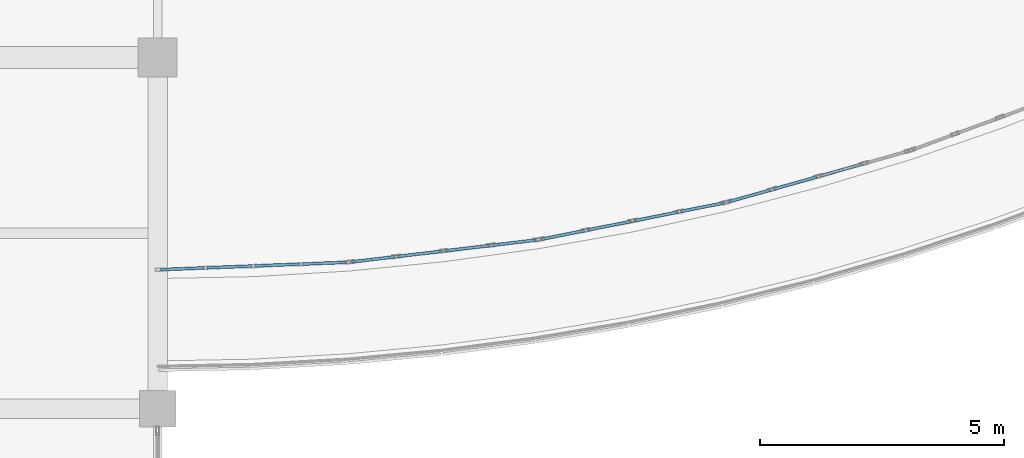
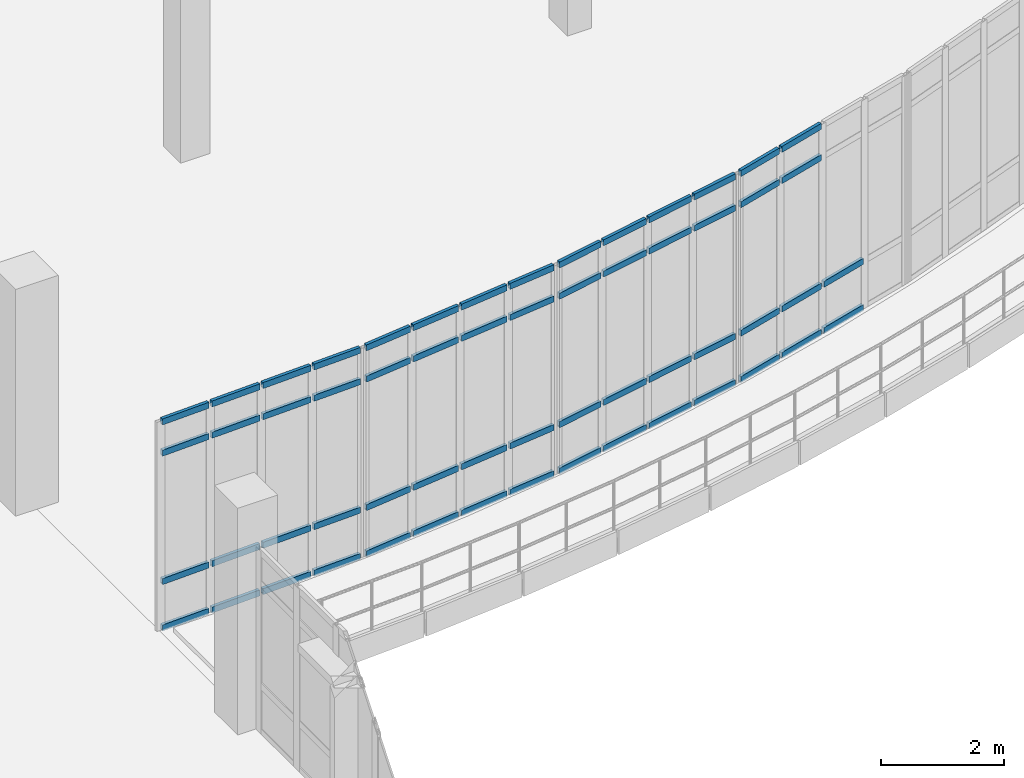
# One storey, part 87 of 134: 58 members, 4 elements without a shape of their own.
"""IFC4 building model written with IfcOpenShell, lengths in metres."""

from ifc_helpers import new_model, si_unit, direction, frame, origin, origin_2d, place, context, subcontext, project, spatial, hollow_rectangle, extrude, material, material_profile, profile_set, type_object, element, aggregate, save


model = new_model("IFC4")

# Units and contexts
model_context = context("Model", 3, precision=1e-05, world=origin(), true_north=direction((0.0, 1.0)))
body_context = subcontext(model_context, "Body", "Model", "MODEL_VIEW")
ifc_project = project(units=[si_unit("LENGTHUNIT", "METRE"), si_unit("AREAUNIT", "SQUARE_METRE"), si_unit("VOLUMEUNIT", "CUBIC_METRE"), si_unit("PLANEANGLEUNIT", "RADIAN"), si_unit("MASSUNIT", "GRAM", prefix="KILO")], contexts=[model_context])

# Site, building, storey
site_placement = place(None, origin())
site = spatial("IfcSite", under=ifc_project, at=site_placement, CompositionType="ELEMENT")
building_placement = place(site_placement, origin())
building = spatial("IfcBuilding", under=site, at=building_placement, Name="Kalluvel Institute of Natural Sciences", CompositionType="ELEMENT")
storey_placement = place(building_placement, frame((0.0, 0.0, 5.39990234375)))
storey = spatial("IfcBuildingStorey", under=building, at=storey_placement, Name="L01", CompositionType="ELEMENT", Elevation=5.39990234375)

# Curtain wall, members
ifc_material = material(Name="Aluminium AW-6063 T6", Category="aluminium")
curtain_wall_type = type_object("IfcCurtainWallType", Name="CW-ATR-ARC", PredefinedType="USERDEFINED", material=ifc_material)
curtain_wall_1_placement = place(storey_placement, origin())
curtain_wall_1 = element("IfcCurtainWall", 1, at=curtain_wall_1_placement, inside=storey, type_object=curtain_wall_type, Name="L01 Gothic lancet curtain wall CWA-L01-X356-Y528", ObjectType="UNITISED LANCET FACADE", PredefinedType="USERDEFINED")
ifc_material_profile = material_profile(ifc_material, hollow_rectangle(XDim=0.06005859375, YDim=0.1201171875, WallThickness=0.00390625, at=origin_2d()), Name="CWT 60x120")
ifc_profile_set = profile_set([ifc_material_profile], Name="Aluminium AW-6063 T6")
member_type = type_object("IfcMemberType", Name="CWT-60x120", PredefinedType="USERDEFINED", material=ifc_profile_set)
member_1_placement = place(storey_placement, frame((35.659912109375, 52.852294921875, 0.030029296875), z_axis=(0.999231319191, 0.039201667666, 0.0), x_axis=(-0.039201667666, 0.999231319191, 0.0)))
member_1 = element("IfcMember", 2, at=member_1_placement, type_object=member_type, Name="CW-05 transom 1.1", ObjectType="TRANSOM", PredefinedType="USERDEFINED", context=body_context, shape_type="SweptSolid", body=[
    extrude(hollow_rectangle(XDim=0.06005859375, YDim=0.1201171875, WallThickness=0.00390625, at=origin_2d()), origin(), (0.0, 0.0, 1.0), 0.890625),
])
member_2_placement = place(storey_placement, frame((35.659912109375, 52.852294921875, 0.9501953125), z_axis=(0.999231319191, 0.039201667666, 0.0), x_axis=(-0.039201667666, 0.999231319191, 0.0)))
member_2 = element("IfcMember", 3, at=member_2_placement, type_object=member_type, Name="CW-05 transom 1.2", ObjectType="TRANSOM", PredefinedType="USERDEFINED", context=body_context, shape_type="SweptSolid", body=[
    extrude(hollow_rectangle(XDim=0.06005859375, YDim=0.1201171875, WallThickness=0.00390625, at=origin_2d()), origin(), (0.0, 0.0, 1.0), 0.890625),
])
member_3_placement = place(storey_placement, frame((35.659912109375, 52.852294921875, 3.5), z_axis=(0.999231319191, 0.039201667666, 0.0), x_axis=(-0.039201667666, 0.999231319191, 0.0)))
member_3 = element("IfcMember", 4, at=member_3_placement, type_object=member_type, Name="CW-05 transom 1.3", ObjectType="TRANSOM", PredefinedType="USERDEFINED", context=body_context, shape_type="SweptSolid", body=[
    extrude(hollow_rectangle(XDim=0.06005859375, YDim=0.1201171875, WallThickness=0.00390625, at=origin_2d()), origin(), (0.0, 0.0, 1.0), 0.890625),
])
member_4_placement = place(storey_placement, frame((35.659912109375, 52.852294921875, 4.1201171875), z_axis=(0.999231319191, 0.039201667666, 0.0), x_axis=(-0.039201667666, 0.999231319191, 0.0)))
member_4 = element("IfcMember", 5, at=member_4_placement, type_object=member_type, Name="CW-05 transom 1.4", ObjectType="TRANSOM", PredefinedType="USERDEFINED", context=body_context, shape_type="SweptSolid", body=[
    extrude(hollow_rectangle(XDim=0.06005859375, YDim=0.1201171875, WallThickness=0.00390625, at=origin_2d()), origin(), (0.0, 0.0, 1.0), 0.890625),
])
member_5_placement = place(storey_placement, frame((36.609619140625, 52.8896484375, 0.030029296875), z_axis=(0.999229505596, 0.039247868054, 0.0), x_axis=(-0.039247868054, 0.999229505596, 0.0)))
member_5 = element("IfcMember", 6, at=member_5_placement, type_object=member_type, Name="CW-05 transom 2.1", ObjectType="TRANSOM", PredefinedType="USERDEFINED", context=body_context, shape_type="SweptSolid", body=[
    extrude(hollow_rectangle(XDim=0.06005859375, YDim=0.1201171875, WallThickness=0.00390625, at=origin_2d()), origin(), (0.0, 0.0, 1.0), 0.920654296875),
])
member_6_placement = place(storey_placement, frame((36.609619140625, 52.8896484375, 0.9501953125), z_axis=(0.999229505596, 0.039247868054, 0.0), x_axis=(-0.039247868054, 0.999229505596, 0.0)))
member_6 = element("IfcMember", 7, at=member_6_placement, type_object=member_type, Name="CW-05 transom 2.2", ObjectType="TRANSOM", PredefinedType="USERDEFINED", context=body_context, shape_type="SweptSolid", body=[
    extrude(hollow_rectangle(XDim=0.06005859375, YDim=0.1201171875, WallThickness=0.00390625, at=origin_2d()), origin(), (0.0, 0.0, 1.0), 0.920654296875),
])
member_7_placement = place(storey_placement, frame((36.609619140625, 52.8896484375, 3.5), z_axis=(0.999229505596, 0.039247868054, 0.0), x_axis=(-0.039247868054, 0.999229505596, 0.0)))
member_7 = element("IfcMember", 8, at=member_7_placement, type_object=member_type, Name="CW-05 transom 2.3", ObjectType="TRANSOM", PredefinedType="USERDEFINED", context=body_context, shape_type="SweptSolid", body=[
    extrude(hollow_rectangle(XDim=0.06005859375, YDim=0.1201171875, WallThickness=0.00390625, at=origin_2d()), origin(), (0.0, 0.0, 1.0), 0.920654296875),
])
member_8_placement = place(storey_placement, frame((36.609619140625, 52.8896484375, 4.1201171875), z_axis=(0.999229505596, 0.039247868054, 0.0), x_axis=(-0.039247868054, 0.999229505596, 0.0)))
member_8 = element("IfcMember", 9, at=member_8_placement, type_object=member_type, Name="CW-05 transom 2.4", ObjectType="TRANSOM", PredefinedType="USERDEFINED", context=body_context, shape_type="SweptSolid", body=[
    extrude(hollow_rectangle(XDim=0.06005859375, YDim=0.1201171875, WallThickness=0.00390625, at=origin_2d()), origin(), (0.0, 0.0, 1.0), 0.920654296875),
])
member_9_placement = place(storey_placement, frame((37.58935546875, 52.92822265625, 0.030029296875), z_axis=(0.999229505596, 0.039247868054, 0.0), x_axis=(-0.039247868054, 0.999229505596, 0.0)))
member_9 = element("IfcMember", 10, at=member_9_placement, type_object=member_type, Name="CW-05 transom 3.1", ObjectType="TRANSOM", PredefinedType="USERDEFINED", context=body_context, shape_type="SweptSolid", body=[
    extrude(hollow_rectangle(XDim=0.06005859375, YDim=0.1201171875, WallThickness=0.00390625, at=origin_2d()), origin(), (0.0, 0.0, 1.0), 0.920654296875),
])
member_10_placement = place(storey_placement, frame((37.58935546875, 52.92822265625, 0.9501953125), z_axis=(0.999229505596, 0.039247868054, 0.0), x_axis=(-0.039247868054, 0.999229505596, 0.0)))
member_10 = element("IfcMember", 11, at=member_10_placement, type_object=member_type, Name="CW-05 transom 3.2", ObjectType="TRANSOM", PredefinedType="USERDEFINED", context=body_context, shape_type="SweptSolid", body=[
    extrude(hollow_rectangle(XDim=0.06005859375, YDim=0.1201171875, WallThickness=0.00390625, at=origin_2d()), origin(), (0.0, 0.0, 1.0), 0.920654296875),
])
member_11_placement = place(storey_placement, frame((37.58935546875, 52.92822265625, 3.5), z_axis=(0.999229505596, 0.039247868054, 0.0), x_axis=(-0.039247868054, 0.999229505596, 0.0)))
member_11 = element("IfcMember", 12, at=member_11_placement, type_object=member_type, Name="CW-05 transom 3.3", ObjectType="TRANSOM", PredefinedType="USERDEFINED", context=body_context, shape_type="SweptSolid", body=[
    extrude(hollow_rectangle(XDim=0.06005859375, YDim=0.1201171875, WallThickness=0.00390625, at=origin_2d()), origin(), (0.0, 0.0, 1.0), 0.920654296875),
])
member_12_placement = place(storey_placement, frame((37.58935546875, 52.92822265625, 4.1201171875), z_axis=(0.999229505596, 0.039247868054, 0.0), x_axis=(-0.039247868054, 0.999229505596, 0.0)))
member_12 = element("IfcMember", 13, at=member_12_placement, type_object=member_type, Name="CW-05 transom 3.4", ObjectType="TRANSOM", PredefinedType="USERDEFINED", context=body_context, shape_type="SweptSolid", body=[
    extrude(hollow_rectangle(XDim=0.06005859375, YDim=0.1201171875, WallThickness=0.00390625, at=origin_2d()), origin(), (0.0, 0.0, 1.0), 0.920654296875),
])
member_13_placement = place(storey_placement, frame((38.5693359375, 52.966796875, 0.030029296875), z_axis=(0.999230897731, 0.039212408994, 0.0), x_axis=(-0.039212408994, 0.999230897731, 0.0)))
member_13 = element("IfcMember", 14, at=member_13_placement, type_object=member_type, Name="CW-05 transom 4.1", ObjectType="TRANSOM", PredefinedType="USERDEFINED", context=body_context, shape_type="SweptSolid", body=[
    extrude(hollow_rectangle(XDim=0.06005859375, YDim=0.1201171875, WallThickness=0.00390625, at=origin_2d()), origin(), (0.0, 0.0, 1.0), 0.890380859375),
])
member_14_placement = place(storey_placement, frame((38.5693359375, 52.966796875, 0.9501953125), z_axis=(0.999230897731, 0.039212408994, 0.0), x_axis=(-0.039212408994, 0.999230897731, 0.0)))
member_14 = element("IfcMember", 15, at=member_14_placement, type_object=member_type, Name="CW-05 transom 4.2", ObjectType="TRANSOM", PredefinedType="USERDEFINED", context=body_context, shape_type="SweptSolid", body=[
    extrude(hollow_rectangle(XDim=0.06005859375, YDim=0.1201171875, WallThickness=0.00390625, at=origin_2d()), origin(), (0.0, 0.0, 1.0), 0.890380859375),
])
member_15_placement = place(storey_placement, frame((38.5693359375, 52.966796875, 3.5), z_axis=(0.999230897731, 0.039212408994, 0.0), x_axis=(-0.039212408994, 0.999230897731, 0.0)))
member_15 = element("IfcMember", 16, at=member_15_placement, type_object=member_type, Name="CW-05 transom 4.3", ObjectType="TRANSOM", PredefinedType="USERDEFINED", context=body_context, shape_type="SweptSolid", body=[
    extrude(hollow_rectangle(XDim=0.06005859375, YDim=0.1201171875, WallThickness=0.00390625, at=origin_2d()), origin(), (0.0, 0.0, 1.0), 0.890380859375),
])
member_16_placement = place(storey_placement, frame((38.5693359375, 52.966796875, 4.1201171875), z_axis=(0.999230897731, 0.039212408994, 0.0), x_axis=(-0.039212408994, 0.999230897731, 0.0)))
member_16 = element("IfcMember", 17, at=member_16_placement, type_object=member_type, Name="CW-05 transom 4.4", ObjectType="TRANSOM", PredefinedType="USERDEFINED", context=body_context, shape_type="SweptSolid", body=[
    extrude(hollow_rectangle(XDim=0.06005859375, YDim=0.1201171875, WallThickness=0.00390625, at=origin_2d()), origin(), (0.0, 0.0, 1.0), 0.890380859375),
])
aggregate(curtain_wall_1, [member_1, member_2, member_3, member_4, member_5, member_6, member_7, member_8, member_9, member_10, member_11, member_12, member_13, member_14, member_15, member_16])

curtain_wall_2_placement = place(storey_placement, origin())
curtain_wall_2 = element("IfcCurtainWall", 18, at=curtain_wall_2_placement, inside=storey, type_object=curtain_wall_type, Name="L01 Gothic lancet curtain wall CWA-L01-X395-Y530", ObjectType="UNITISED LANCET FACADE", PredefinedType="USERDEFINED")
member_17_placement = place(storey_placement, frame((39.57861328125, 53.010986328125, 0.030029296875), z_axis=(0.993058595152, 0.117620689486, 0.0), x_axis=(-0.117620689486, 0.993058595152, 0.0)))
member_17 = element("IfcMember", 19, at=member_17_placement, type_object=member_type, Name="CW-05 transom 1.1", ObjectType="TRANSOM", PredefinedType="USERDEFINED", context=body_context, shape_type="SweptSolid", body=[
    extrude(hollow_rectangle(XDim=0.06005859375, YDim=0.1201171875, WallThickness=0.00390625, at=origin_2d()), origin(), (0.0, 0.0, 1.0), 0.890380859375),
])
member_18_placement = place(storey_placement, frame((39.57861328125, 53.010986328125, 0.9501953125), z_axis=(0.993058595152, 0.117620689486, 0.0), x_axis=(-0.117620689486, 0.993058595152, 0.0)))
member_18 = element("IfcMember", 20, at=member_18_placement, type_object=member_type, Name="CW-05 transom 1.2", ObjectType="TRANSOM", PredefinedType="USERDEFINED", context=body_context, shape_type="SweptSolid", body=[
    extrude(hollow_rectangle(XDim=0.06005859375, YDim=0.1201171875, WallThickness=0.00390625, at=origin_2d()), origin(), (0.0, 0.0, 1.0), 0.890380859375),
])
member_19_placement = place(storey_placement, frame((39.57861328125, 53.010986328125, 3.5), z_axis=(0.993058595152, 0.117620689486, 0.0), x_axis=(-0.117620689486, 0.993058595152, 0.0)))
member_19 = element("IfcMember", 21, at=member_19_placement, type_object=member_type, Name="CW-05 transom 1.3", ObjectType="TRANSOM", PredefinedType="USERDEFINED", context=body_context, shape_type="SweptSolid", body=[
    extrude(hollow_rectangle(XDim=0.06005859375, YDim=0.1201171875, WallThickness=0.00390625, at=origin_2d()), origin(), (0.0, 0.0, 1.0), 0.890380859375),
])
member_20_placement = place(storey_placement, frame((39.57861328125, 53.010986328125, 4.1201171875), z_axis=(0.993058595152, 0.117620689486, 0.0), x_axis=(-0.117620689486, 0.993058595152, 0.0)))
member_20 = element("IfcMember", 22, at=member_20_placement, type_object=member_type, Name="CW-05 transom 1.4", ObjectType="TRANSOM", PredefinedType="USERDEFINED", context=body_context, shape_type="SweptSolid", body=[
    extrude(hollow_rectangle(XDim=0.06005859375, YDim=0.1201171875, WallThickness=0.00390625, at=origin_2d()), origin(), (0.0, 0.0, 1.0), 0.890380859375),
])
member_21_placement = place(storey_placement, frame((40.5224609375, 53.122802734375, 0.030029296875), z_axis=(0.993076191507, 0.11747203013, 0.0), x_axis=(-0.11747203013, 0.993076191507, 0.0)))
member_21 = element("IfcMember", 23, at=member_21_placement, type_object=member_type, Name="CW-05 transom 2.1", ObjectType="TRANSOM", PredefinedType="USERDEFINED", context=body_context, shape_type="SweptSolid", body=[
    extrude(hollow_rectangle(XDim=0.06005859375, YDim=0.1201171875, WallThickness=0.00390625, at=origin_2d()), origin(), (0.0, 0.0, 1.0), 0.920654296875),
])
member_22_placement = place(storey_placement, frame((40.5224609375, 53.122802734375, 0.9501953125), z_axis=(0.993076191507, 0.11747203013, 0.0), x_axis=(-0.11747203013, 0.993076191507, 0.0)))
member_22 = element("IfcMember", 24, at=member_22_placement, type_object=member_type, Name="CW-05 transom 2.2", ObjectType="TRANSOM", PredefinedType="USERDEFINED", context=body_context, shape_type="SweptSolid", body=[
    extrude(hollow_rectangle(XDim=0.06005859375, YDim=0.1201171875, WallThickness=0.00390625, at=origin_2d()), origin(), (0.0, 0.0, 1.0), 0.920654296875),
])
member_23_placement = place(storey_placement, frame((40.5224609375, 53.122802734375, 3.5), z_axis=(0.993076191507, 0.11747203013, 0.0), x_axis=(-0.11747203013, 0.993076191507, 0.0)))
member_23 = element("IfcMember", 25, at=member_23_placement, type_object=member_type, Name="CW-05 transom 2.3", ObjectType="TRANSOM", PredefinedType="USERDEFINED", context=body_context, shape_type="SweptSolid", body=[
    extrude(hollow_rectangle(XDim=0.06005859375, YDim=0.1201171875, WallThickness=0.00390625, at=origin_2d()), origin(), (0.0, 0.0, 1.0), 0.920654296875),
])
member_24_placement = place(storey_placement, frame((40.5224609375, 53.122802734375, 4.1201171875), z_axis=(0.993076191507, 0.11747203013, 0.0), x_axis=(-0.11747203013, 0.993076191507, 0.0)))
member_24 = element("IfcMember", 26, at=member_24_placement, type_object=member_type, Name="CW-05 transom 2.4", ObjectType="TRANSOM", PredefinedType="USERDEFINED", context=body_context, shape_type="SweptSolid", body=[
    extrude(hollow_rectangle(XDim=0.06005859375, YDim=0.1201171875, WallThickness=0.00390625, at=origin_2d()), origin(), (0.0, 0.0, 1.0), 0.920654296875),
])
member_25_placement = place(storey_placement, frame((41.496337890625, 53.238037109375, 0.030029296875), z_axis=(0.993072530746, 0.117502973056, 0.0), x_axis=(-0.117502973056, 0.993072530746, 0.0)))
member_25 = element("IfcMember", 27, at=member_25_placement, type_object=member_type, Name="CW-05 transom 3.1", ObjectType="TRANSOM", PredefinedType="USERDEFINED", context=body_context, shape_type="SweptSolid", body=[
    extrude(hollow_rectangle(XDim=0.06005859375, YDim=0.1201171875, WallThickness=0.00390625, at=origin_2d()), origin(), (0.0, 0.0, 1.0), 0.92041015625),
])
member_26_placement = place(storey_placement, frame((41.496337890625, 53.238037109375, 0.9501953125), z_axis=(0.993072530746, 0.117502973056, 0.0), x_axis=(-0.117502973056, 0.993072530746, 0.0)))
member_26 = element("IfcMember", 28, at=member_26_placement, type_object=member_type, Name="CW-05 transom 3.2", ObjectType="TRANSOM", PredefinedType="USERDEFINED", context=body_context, shape_type="SweptSolid", body=[
    extrude(hollow_rectangle(XDim=0.06005859375, YDim=0.1201171875, WallThickness=0.00390625, at=origin_2d()), origin(), (0.0, 0.0, 1.0), 0.92041015625),
])
member_27_placement = place(storey_placement, frame((41.496337890625, 53.238037109375, 3.5), z_axis=(0.993072530746, 0.117502973056, 0.0), x_axis=(-0.117502973056, 0.993072530746, 0.0)))
member_27 = element("IfcMember", 29, at=member_27_placement, type_object=member_type, Name="CW-05 transom 3.3", ObjectType="TRANSOM", PredefinedType="USERDEFINED", context=body_context, shape_type="SweptSolid", body=[
    extrude(hollow_rectangle(XDim=0.06005859375, YDim=0.1201171875, WallThickness=0.00390625, at=origin_2d()), origin(), (0.0, 0.0, 1.0), 0.92041015625),
])
member_28_placement = place(storey_placement, frame((41.496337890625, 53.238037109375, 4.1201171875), z_axis=(0.993072530746, 0.117502973056, 0.0), x_axis=(-0.117502973056, 0.993072530746, 0.0)))
member_28 = element("IfcMember", 30, at=member_28_placement, type_object=member_type, Name="CW-05 transom 3.4", ObjectType="TRANSOM", PredefinedType="USERDEFINED", context=body_context, shape_type="SweptSolid", body=[
    extrude(hollow_rectangle(XDim=0.06005859375, YDim=0.1201171875, WallThickness=0.00390625, at=origin_2d()), origin(), (0.0, 0.0, 1.0), 0.92041015625),
])
member_29_placement = place(storey_placement, frame((42.469970703125, 53.353271484375, 0.030029296875), z_axis=(0.993058595152, 0.117620689486, 0.0), x_axis=(-0.117620689486, 0.993058595152, 0.0)))
member_29 = element("IfcMember", 31, at=member_29_placement, type_object=member_type, Name="CW-05 transom 4.1", ObjectType="TRANSOM", PredefinedType="USERDEFINED", context=body_context, shape_type="SweptSolid", body=[
    extrude(hollow_rectangle(XDim=0.06005859375, YDim=0.1201171875, WallThickness=0.00390625, at=origin_2d()), origin(), (0.0, 0.0, 1.0), 0.890380859375),
])
member_30_placement = place(storey_placement, frame((42.469970703125, 53.353271484375, 0.9501953125), z_axis=(0.993058595152, 0.117620689486, 0.0), x_axis=(-0.117620689486, 0.993058595152, 0.0)))
member_30 = element("IfcMember", 32, at=member_30_placement, type_object=member_type, Name="CW-05 transom 4.2", ObjectType="TRANSOM", PredefinedType="USERDEFINED", context=body_context, shape_type="SweptSolid", body=[
    extrude(hollow_rectangle(XDim=0.06005859375, YDim=0.1201171875, WallThickness=0.00390625, at=origin_2d()), origin(), (0.0, 0.0, 1.0), 0.890380859375),
])
member_31_placement = place(storey_placement, frame((42.469970703125, 53.353271484375, 3.5), z_axis=(0.993058595152, 0.117620689486, 0.0), x_axis=(-0.117620689486, 0.993058595152, 0.0)))
member_31 = element("IfcMember", 33, at=member_31_placement, type_object=member_type, Name="CW-05 transom 4.3", ObjectType="TRANSOM", PredefinedType="USERDEFINED", context=body_context, shape_type="SweptSolid", body=[
    extrude(hollow_rectangle(XDim=0.06005859375, YDim=0.1201171875, WallThickness=0.00390625, at=origin_2d()), origin(), (0.0, 0.0, 1.0), 0.890380859375),
])
member_32_placement = place(storey_placement, frame((42.469970703125, 53.353271484375, 4.1201171875), z_axis=(0.993058595152, 0.117620689486, 0.0), x_axis=(-0.117620689486, 0.993058595152, 0.0)))
member_32 = element("IfcMember", 34, at=member_32_placement, type_object=member_type, Name="CW-05 transom 4.4", ObjectType="TRANSOM", PredefinedType="USERDEFINED", context=body_context, shape_type="SweptSolid", body=[
    extrude(hollow_rectangle(XDim=0.06005859375, YDim=0.1201171875, WallThickness=0.00390625, at=origin_2d()), origin(), (0.0, 0.0, 1.0), 0.890380859375),
])
aggregate(curtain_wall_2, [member_17, member_18, member_19, member_20, member_21, member_22, member_23, member_24, member_25, member_26, member_27, member_28, member_29, member_30, member_31, member_32])

curtain_wall_3_placement = place(storey_placement, origin())
curtain_wall_3 = element("IfcCurtainWall", 35, at=curtain_wall_3_placement, inside=storey, type_object=curtain_wall_type, Name="L01 Gothic lancet curtain wall CWA-L01-X434-Y535", ObjectType="UNITISED LANCET FACADE", PredefinedType="USERDEFINED")
member_33_placement = place(storey_placement, frame((43.47265625, 53.476806640625, 0.030029296875), z_axis=(0.980822422057, 0.194903505333, 0.0), x_axis=(-0.194903505333, 0.980822422057, 0.0)))
member_33 = element("IfcMember", 36, at=member_33_placement, type_object=member_type, Name="CW-05 transom 1.1", ObjectType="TRANSOM", PredefinedType="USERDEFINED", context=body_context, shape_type="SweptSolid", body=[
    extrude(hollow_rectangle(XDim=0.06005859375, YDim=0.1201171875, WallThickness=0.00390625, at=origin_2d()), origin(), (0.0, 0.0, 1.0), 0.890625),
])
member_34_placement = place(storey_placement, frame((43.47265625, 53.476806640625, 0.9501953125), z_axis=(0.980822422057, 0.194903505333, 0.0), x_axis=(-0.194903505333, 0.980822422057, 0.0)))
member_34 = element("IfcMember", 37, at=member_34_placement, type_object=member_type, Name="CW-05 transom 1.2", ObjectType="TRANSOM", PredefinedType="USERDEFINED", context=body_context, shape_type="SweptSolid", body=[
    extrude(hollow_rectangle(XDim=0.06005859375, YDim=0.1201171875, WallThickness=0.00390625, at=origin_2d()), origin(), (0.0, 0.0, 1.0), 0.890625),
])
member_35_placement = place(storey_placement, frame((43.47265625, 53.476806640625, 3.5), z_axis=(0.980822422057, 0.194903505333, 0.0), x_axis=(-0.194903505333, 0.980822422057, 0.0)))
member_35 = element("IfcMember", 38, at=member_35_placement, type_object=member_type, Name="CW-05 transom 1.3", ObjectType="TRANSOM", PredefinedType="USERDEFINED", context=body_context, shape_type="SweptSolid", body=[
    extrude(hollow_rectangle(XDim=0.06005859375, YDim=0.1201171875, WallThickness=0.00390625, at=origin_2d()), origin(), (0.0, 0.0, 1.0), 0.890625),
])
member_36_placement = place(storey_placement, frame((43.47265625, 53.476806640625, 4.1201171875), z_axis=(0.980822422057, 0.194903505333, 0.0), x_axis=(-0.194903505333, 0.980822422057, 0.0)))
member_36 = element("IfcMember", 39, at=member_36_placement, type_object=member_type, Name="CW-05 transom 1.4", ObjectType="TRANSOM", PredefinedType="USERDEFINED", context=body_context, shape_type="SweptSolid", body=[
    extrude(hollow_rectangle(XDim=0.06005859375, YDim=0.1201171875, WallThickness=0.00390625, at=origin_2d()), origin(), (0.0, 0.0, 1.0), 0.890625),
])
member_37_placement = place(storey_placement, frame((44.405029296875, 53.662109375, 0.030029296875), z_axis=(0.980763856094, 0.195197998401, 0.0), x_axis=(-0.195197998401, 0.980763856094, 0.0)))
member_37 = element("IfcMember", 40, at=member_37_placement, type_object=member_type, Name="CW-05 transom 2.1", ObjectType="TRANSOM", PredefinedType="USERDEFINED", context=body_context, shape_type="SweptSolid", body=[
    extrude(hollow_rectangle(XDim=0.06005859375, YDim=0.1201171875, WallThickness=0.00390625, at=origin_2d()), origin(), (0.0, 0.0, 1.0), 0.920654296875),
])
member_38_placement = place(storey_placement, frame((44.405029296875, 53.662109375, 0.9501953125), z_axis=(0.980763856094, 0.195197998401, 0.0), x_axis=(-0.195197998401, 0.980763856094, 0.0)))
member_38 = element("IfcMember", 41, at=member_38_placement, type_object=member_type, Name="CW-05 transom 2.2", ObjectType="TRANSOM", PredefinedType="USERDEFINED", context=body_context, shape_type="SweptSolid", body=[
    extrude(hollow_rectangle(XDim=0.06005859375, YDim=0.1201171875, WallThickness=0.00390625, at=origin_2d()), origin(), (0.0, 0.0, 1.0), 0.920654296875),
])
member_39_placement = place(storey_placement, frame((44.405029296875, 53.662109375, 3.5), z_axis=(0.980763856094, 0.195197998401, 0.0), x_axis=(-0.195197998401, 0.980763856094, 0.0)))
member_39 = element("IfcMember", 42, at=member_39_placement, type_object=member_type, Name="CW-05 transom 2.3", ObjectType="TRANSOM", PredefinedType="USERDEFINED", context=body_context, shape_type="SweptSolid", body=[
    extrude(hollow_rectangle(XDim=0.06005859375, YDim=0.1201171875, WallThickness=0.00390625, at=origin_2d()), origin(), (0.0, 0.0, 1.0), 0.920654296875),
])
member_40_placement = place(storey_placement, frame((44.405029296875, 53.662109375, 4.1201171875), z_axis=(0.980763856094, 0.195197998401, 0.0), x_axis=(-0.195197998401, 0.980763856094, 0.0)))
member_40 = element("IfcMember", 43, at=member_40_placement, type_object=member_type, Name="CW-05 transom 2.4", ObjectType="TRANSOM", PredefinedType="USERDEFINED", context=body_context, shape_type="SweptSolid", body=[
    extrude(hollow_rectangle(XDim=0.06005859375, YDim=0.1201171875, WallThickness=0.00390625, at=origin_2d()), origin(), (0.0, 0.0, 1.0), 0.920654296875),
])
member_41_placement = place(storey_placement, frame((45.36669921875, 53.853515625, 0.030029296875), z_axis=(0.980814599069, 0.194942869204, 0.0), x_axis=(-0.194942869204, 0.980814599069, 0.0)))
member_41 = element("IfcMember", 44, at=member_41_placement, type_object=member_type, Name="CW-05 transom 3.1", ObjectType="TRANSOM", PredefinedType="USERDEFINED", context=body_context, shape_type="SweptSolid", body=[
    extrude(hollow_rectangle(XDim=0.06005859375, YDim=0.1201171875, WallThickness=0.00390625, at=origin_2d()), origin(), (0.0, 0.0, 1.0), 0.92041015625),
])
member_42_placement = place(storey_placement, frame((45.36669921875, 53.853515625, 0.9501953125), z_axis=(0.980814599069, 0.194942869204, 0.0), x_axis=(-0.194942869204, 0.980814599069, 0.0)))
member_42 = element("IfcMember", 45, at=member_42_placement, type_object=member_type, Name="CW-05 transom 3.2", ObjectType="TRANSOM", PredefinedType="USERDEFINED", context=body_context, shape_type="SweptSolid", body=[
    extrude(hollow_rectangle(XDim=0.06005859375, YDim=0.1201171875, WallThickness=0.00390625, at=origin_2d()), origin(), (0.0, 0.0, 1.0), 0.92041015625),
])
member_43_placement = place(storey_placement, frame((45.36669921875, 53.853515625, 3.5), z_axis=(0.980814599069, 0.194942869204, 0.0), x_axis=(-0.194942869204, 0.980814599069, 0.0)))
member_43 = element("IfcMember", 46, at=member_43_placement, type_object=member_type, Name="CW-05 transom 3.3", ObjectType="TRANSOM", PredefinedType="USERDEFINED", context=body_context, shape_type="SweptSolid", body=[
    extrude(hollow_rectangle(XDim=0.06005859375, YDim=0.1201171875, WallThickness=0.00390625, at=origin_2d()), origin(), (0.0, 0.0, 1.0), 0.92041015625),
])
member_44_placement = place(storey_placement, frame((45.36669921875, 53.853515625, 4.1201171875), z_axis=(0.980814599069, 0.194942869204, 0.0), x_axis=(-0.194942869204, 0.980814599069, 0.0)))
member_44 = element("IfcMember", 47, at=member_44_placement, type_object=member_type, Name="CW-05 transom 3.4", ObjectType="TRANSOM", PredefinedType="USERDEFINED", context=body_context, shape_type="SweptSolid", body=[
    extrude(hollow_rectangle(XDim=0.06005859375, YDim=0.1201171875, WallThickness=0.00390625, at=origin_2d()), origin(), (0.0, 0.0, 1.0), 0.92041015625),
])
member_45_placement = place(storey_placement, frame((46.328369140625, 54.044677734375, 0.030029296875), z_axis=(0.980759540762, 0.195219679347, 0.0), x_axis=(-0.195219679347, 0.980759540762, 0.0)))
member_45 = element("IfcMember", 48, at=member_45_placement, type_object=member_type, Name="CW-05 transom 4.1", ObjectType="TRANSOM", PredefinedType="USERDEFINED", context=body_context, shape_type="SweptSolid", body=[
    extrude(hollow_rectangle(XDim=0.06005859375, YDim=0.1201171875, WallThickness=0.00390625, at=origin_2d()), origin(), (0.0, 0.0, 1.0), 0.890380859375),
])
member_46_placement = place(storey_placement, frame((46.328369140625, 54.044677734375, 0.9501953125), z_axis=(0.980759540762, 0.195219679347, 0.0), x_axis=(-0.195219679347, 0.980759540762, 0.0)))
member_46 = element("IfcMember", 49, at=member_46_placement, type_object=member_type, Name="CW-05 transom 4.2", ObjectType="TRANSOM", PredefinedType="USERDEFINED", context=body_context, shape_type="SweptSolid", body=[
    extrude(hollow_rectangle(XDim=0.06005859375, YDim=0.1201171875, WallThickness=0.00390625, at=origin_2d()), origin(), (0.0, 0.0, 1.0), 0.890380859375),
])
member_47_placement = place(storey_placement, frame((46.328369140625, 54.044677734375, 3.5), z_axis=(0.980759540762, 0.195219679347, 0.0), x_axis=(-0.195219679347, 0.980759540762, 0.0)))
member_47 = element("IfcMember", 50, at=member_47_placement, type_object=member_type, Name="CW-05 transom 4.3", ObjectType="TRANSOM", PredefinedType="USERDEFINED", context=body_context, shape_type="SweptSolid", body=[
    extrude(hollow_rectangle(XDim=0.06005859375, YDim=0.1201171875, WallThickness=0.00390625, at=origin_2d()), origin(), (0.0, 0.0, 1.0), 0.890380859375),
])
member_48_placement = place(storey_placement, frame((46.328369140625, 54.044677734375, 4.1201171875), z_axis=(0.980759540762, 0.195219679347, 0.0), x_axis=(-0.195219679347, 0.980759540762, 0.0)))
member_48 = element("IfcMember", 51, at=member_48_placement, type_object=member_type, Name="CW-05 transom 4.4", ObjectType="TRANSOM", PredefinedType="USERDEFINED", context=body_context, shape_type="SweptSolid", body=[
    extrude(hollow_rectangle(XDim=0.06005859375, YDim=0.1201171875, WallThickness=0.00390625, at=origin_2d()), origin(), (0.0, 0.0, 1.0), 0.890380859375),
])
aggregate(curtain_wall_3, [member_33, member_34, member_35, member_36, member_37, member_38, member_39, member_40, member_41, member_42, member_43, member_44, member_45, member_46, member_47, member_48])

curtain_wall_4_placement = place(storey_placement, origin())
curtain_wall_4 = element("IfcCurtainWall", 52, at=curtain_wall_4_placement, inside=storey, type_object=curtain_wall_type, Name="L01 Gothic lancet curtain wall CWA-L01-X473-Y542", ObjectType="UNITISED LANCET FACADE", PredefinedType="USERDEFINED")
member_49_placement = place(storey_placement, frame((47.318359375, 54.246337890625, 0.030029296875), z_axis=(0.96246987412, 0.271388543258, 0.0), x_axis=(-0.271388543258, 0.96246987412, 0.0)))
member_49 = element("IfcMember", 53, at=member_49_placement, type_object=member_type, Name="CW-05 transom 1.1", ObjectType="TRANSOM", PredefinedType="USERDEFINED", context=body_context, shape_type="SweptSolid", body=[
    extrude(hollow_rectangle(XDim=0.06005859375, YDim=0.1201171875, WallThickness=0.00390625, at=origin_2d()), origin(), (0.0, 0.0, 1.0), 0.890625),
])
member_50_placement = place(storey_placement, frame((47.318359375, 54.246337890625, 0.9501953125), z_axis=(0.96246987412, 0.271388543258, 0.0), x_axis=(-0.271388543258, 0.96246987412, 0.0)))
member_50 = element("IfcMember", 54, at=member_50_placement, type_object=member_type, Name="CW-05 transom 1.2", ObjectType="TRANSOM", PredefinedType="USERDEFINED", context=body_context, shape_type="SweptSolid", body=[
    extrude(hollow_rectangle(XDim=0.06005859375, YDim=0.1201171875, WallThickness=0.00390625, at=origin_2d()), origin(), (0.0, 0.0, 1.0), 0.890625),
])
member_51_placement = place(storey_placement, frame((47.318359375, 54.246337890625, 3.5), z_axis=(0.96246987412, 0.271388543258, 0.0), x_axis=(-0.271388543258, 0.96246987412, 0.0)))
member_51 = element("IfcMember", 55, at=member_51_placement, type_object=member_type, Name="CW-05 transom 1.3", ObjectType="TRANSOM", PredefinedType="USERDEFINED", context=body_context, shape_type="SweptSolid", body=[
    extrude(hollow_rectangle(XDim=0.06005859375, YDim=0.1201171875, WallThickness=0.00390625, at=origin_2d()), origin(), (0.0, 0.0, 1.0), 0.890625),
])
member_52_placement = place(storey_placement, frame((47.318359375, 54.246337890625, 4.1201171875), z_axis=(0.96246987412, 0.271388543258, 0.0), x_axis=(-0.271388543258, 0.96246987412, 0.0)))
member_52 = element("IfcMember", 56, at=member_52_placement, type_object=member_type, Name="CW-05 transom 1.4", ObjectType="TRANSOM", PredefinedType="USERDEFINED", context=body_context, shape_type="SweptSolid", body=[
    extrude(hollow_rectangle(XDim=0.06005859375, YDim=0.1201171875, WallThickness=0.00390625, at=origin_2d()), origin(), (0.0, 0.0, 1.0), 0.890625),
])
member_53_placement = place(storey_placement, frame((48.233154296875, 54.50439453125, 0.030029296875), z_axis=(0.96248875468, 0.2713215751, 0.0), x_axis=(-0.2713215751, 0.96248875468, 0.0)))
member_53 = element("IfcMember", 57, at=member_53_placement, type_object=member_type, Name="CW-05 transom 2.1", ObjectType="TRANSOM", PredefinedType="USERDEFINED", context=body_context, shape_type="SweptSolid", body=[
    extrude(hollow_rectangle(XDim=0.06005859375, YDim=0.1201171875, WallThickness=0.00390625, at=origin_2d()), origin(), (0.0, 0.0, 1.0), 0.92041015625),
])
member_54_placement = place(storey_placement, frame((48.233154296875, 54.50439453125, 0.9501953125), z_axis=(0.96248875468, 0.2713215751, 0.0), x_axis=(-0.2713215751, 0.96248875468, 0.0)))
member_54 = element("IfcMember", 58, at=member_54_placement, type_object=member_type, Name="CW-05 transom 2.2", ObjectType="TRANSOM", PredefinedType="USERDEFINED", context=body_context, shape_type="SweptSolid", body=[
    extrude(hollow_rectangle(XDim=0.06005859375, YDim=0.1201171875, WallThickness=0.00390625, at=origin_2d()), origin(), (0.0, 0.0, 1.0), 0.92041015625),
])
member_55_placement = place(storey_placement, frame((48.233154296875, 54.50439453125, 3.5), z_axis=(0.96248875468, 0.2713215751, 0.0), x_axis=(-0.2713215751, 0.96248875468, 0.0)))
member_55 = element("IfcMember", 59, at=member_55_placement, type_object=member_type, Name="CW-05 transom 2.3", ObjectType="TRANSOM", PredefinedType="USERDEFINED", context=body_context, shape_type="SweptSolid", body=[
    extrude(hollow_rectangle(XDim=0.06005859375, YDim=0.1201171875, WallThickness=0.00390625, at=origin_2d()), origin(), (0.0, 0.0, 1.0), 0.92041015625),
])
member_56_placement = place(storey_placement, frame((48.233154296875, 54.50439453125, 4.1201171875), z_axis=(0.96248875468, 0.2713215751, 0.0), x_axis=(-0.2713215751, 0.96248875468, 0.0)))
member_56 = element("IfcMember", 60, at=member_56_placement, type_object=member_type, Name="CW-05 transom 2.4", ObjectType="TRANSOM", PredefinedType="USERDEFINED", context=body_context, shape_type="SweptSolid", body=[
    extrude(hollow_rectangle(XDim=0.06005859375, YDim=0.1201171875, WallThickness=0.00390625, at=origin_2d()), origin(), (0.0, 0.0, 1.0), 0.92041015625),
])
member_57_placement = place(storey_placement, frame((49.1767578125, 54.7705078125, 0.030029296875), z_axis=(0.962419467321, 0.27156724567, 0.0), x_axis=(-0.27156724567, 0.962419467321, 0.0)))
member_57 = element("IfcMember", 61, at=member_57_placement, type_object=member_type, Name="CW-05 transom 3.1", ObjectType="TRANSOM", PredefinedType="USERDEFINED", context=body_context, shape_type="SweptSolid", body=[
    extrude(hollow_rectangle(XDim=0.06005859375, YDim=0.1201171875, WallThickness=0.00390625, at=origin_2d()), origin(), (0.0, 0.0, 1.0), 0.920654296875),
])
member_58_placement = place(storey_placement, frame((49.1767578125, 54.7705078125, 0.9501953125), z_axis=(0.962419467321, 0.27156724567, 0.0), x_axis=(-0.27156724567, 0.962419467321, 0.0)))
member_58 = element("IfcMember", 62, at=member_58_placement, type_object=member_type, Name="CW-05 transom 3.2", ObjectType="TRANSOM", PredefinedType="USERDEFINED", context=body_context, shape_type="SweptSolid", body=[
    extrude(hollow_rectangle(XDim=0.06005859375, YDim=0.1201171875, WallThickness=0.00390625, at=origin_2d()), origin(), (0.0, 0.0, 1.0), 0.920654296875),
])
aggregate(curtain_wall_4, [member_49, member_50, member_51, member_52, member_53, member_54, member_55, member_56, member_57, member_58])

save(model, "model.ifc")
